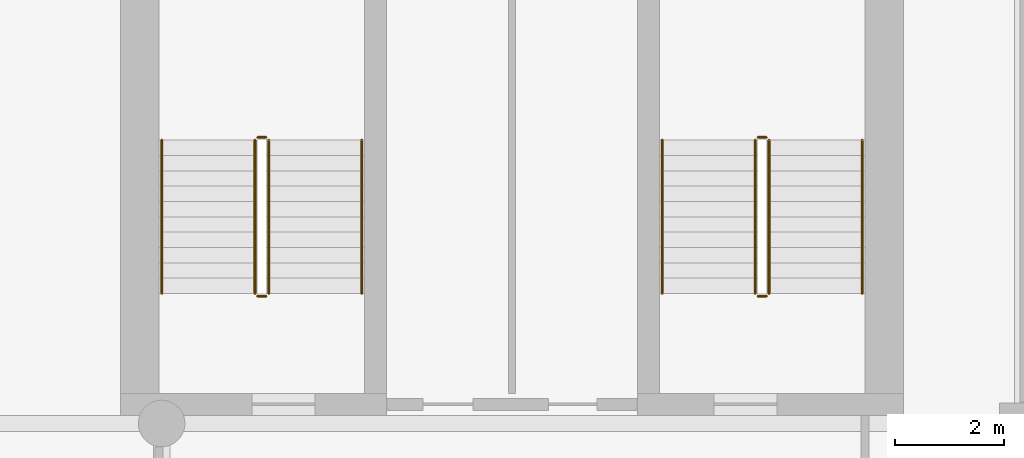
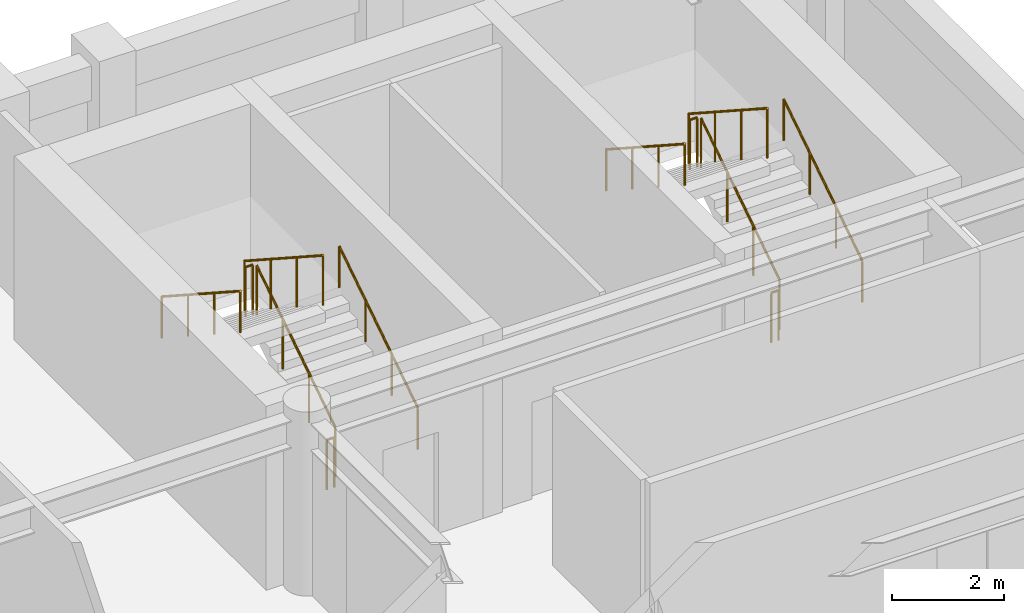
# One storey, part 8 of 8: 12 railings.
"""IFC4 building model written with IfcOpenShell, lengths in metres."""

from ifc_helpers import new_model, si_unit, direction, frame, origin, origin_2d, place, context, subcontext, project, spatial, circle, extrude, material, type_object, element, save


model = new_model("IFC4")

# Units and contexts
model_context = context("Model", 3, precision=1e-05, world=origin(), true_north=direction((0.0, 1.0)))
body_context = subcontext(model_context, "Body", "Model", "MODEL_VIEW")
ifc_project = project(units=[si_unit("LENGTHUNIT", "METRE"), si_unit("AREAUNIT", "SQUARE_METRE"), si_unit("VOLUMEUNIT", "CUBIC_METRE"), si_unit("PLANEANGLEUNIT", "RADIAN"), si_unit("MASSUNIT", "GRAM", prefix="KILO")], contexts=[model_context])

# Site, building, storey
site_placement = place(None, origin())
site = spatial("IfcSite", under=ifc_project, at=site_placement, CompositionType="ELEMENT")
building_placement = place(site_placement, origin())
building = spatial("IfcBuilding", under=site, at=building_placement, Name="Sulina Concourse Tower", CompositionType="ELEMENT")
storey_placement = place(building_placement, frame((0.0, 0.0, 226.60009765625)))
storey = spatial("IfcBuildingStorey", under=building, at=storey_placement, Name="L55", CompositionType="ELEMENT", Elevation=226.60009765625)

# Railings
ifc_material_1 = material(Name="Galvanised steel railing", Category="steel")
railing_type_1 = type_object("IfcRailingType", Name="Core Stair Steel Guardrail 1150mm", PredefinedType="GUARDRAIL", material=ifc_material_1)
railing_1_placement = place(storey_placement, frame((43.554931640625, 36.375, 0.181640625)))
element("IfcRailing", 1, at=railing_1_placement, inside=storey, type_object=railing_type_1, Name="L55 ST-3 stair guard 1", PredefinedType="GUARDRAIL", context=body_context, shape_type="SweptSolid", body=[
    extrude(circle(Radius=0.02392578125, at=origin_2d()), frame((0.0, 0.0, 1.076171875), z_axis=(0.0, 0.838672427954, 0.544636170843), x_axis=(-1.0, 0.0, 0.0)), (0.0, 0.0, 1.0), 3.338623046875),
    extrude(circle(Radius=0.02099609375, at=origin_2d()), origin(), (0.0, 0.0, 1.0), 1.052001953125),
    extrude(circle(Radius=0.02099609375, at=origin_2d()), frame((0.0, 0.933349609375, 0.606201171875)), (0.0, 0.0, 1.0), 1.052001953125),
    extrude(circle(Radius=0.02099609375, at=origin_2d()), frame((0.0, 1.86669921875, 1.212158203125)), (0.0, 0.0, 1.0), 1.052001953125),
    extrude(circle(Radius=0.02099609375, at=origin_2d()), frame((0.0, 2.800048828125, 1.818359375)), (0.0, 0.0, 1.0), 1.052001953125),
])
railing_2_placement = place(storey_placement, frame((43.5048828125, 39.22509765625, 2.0)))
element("IfcRailing", 2, at=railing_2_placement, inside=storey, type_object=railing_type_1, Name="L55 ST-3 stair guard 2", PredefinedType="GUARDRAIL", context=body_context, shape_type="SweptSolid", body=[
    extrude(circle(Radius=0.02392578125, at=origin_2d()), frame((0.0, 0.0, 1.076171875), z_axis=(-1.0, 0.0, 0.0), x_axis=(0.0, -1.0, 0.0)), (0.0, 0.0, 1.0), 0.14990234375),
    extrude(circle(Radius=0.02099609375, at=origin_2d()), origin(), (0.0, 0.0, 1.0), 1.052001953125),
    extrude(circle(Radius=0.02099609375, at=origin_2d()), frame((-0.14990234375, 0.0, 0.0)), (0.0, 0.0, 1.0), 1.052001953125),
])
railing_3_placement = place(storey_placement, frame((43.304931640625, 39.175048828125, 2.181640625)))
element("IfcRailing", 3, at=railing_3_placement, inside=storey, type_object=railing_type_1, Name="L55 ST-3 stair guard 3", PredefinedType="GUARDRAIL", context=body_context, shape_type="SweptSolid", body=[
    extrude(circle(Radius=0.02392578125, at=origin_2d()), frame((0.0, 0.0, 1.076171875), z_axis=(0.0, -0.838672427954, 0.544636170843), x_axis=(1.0, 0.0, 0.0)), (0.0, 0.0, 1.0), 3.338623046875),
    extrude(circle(Radius=0.02099609375, at=origin_2d()), origin(), (0.0, 0.0, 1.0), 1.052001953125),
    extrude(circle(Radius=0.02099609375, at=origin_2d()), frame((0.0, -0.933349609375, 0.606201171875)), (0.0, 0.0, 1.0), 1.052001953125),
    extrude(circle(Radius=0.02099609375, at=origin_2d()), frame((0.0, -1.86669921875, 1.212158203125)), (0.0, 0.0, 1.0), 1.052001953125),
    extrude(circle(Radius=0.02099609375, at=origin_2d()), frame((0.0, -2.800048828125, 1.818359375)), (0.0, 0.0, 1.0), 1.052001953125),
])
railing_4_placement = place(storey_placement, frame((43.5048828125, 36.324951171875, 0.0)))
element("IfcRailing", 4, at=railing_4_placement, inside=storey, type_object=railing_type_1, Name="L55 ST-3 stair guard 4", PredefinedType="GUARDRAIL", context=body_context, shape_type="SweptSolid", body=[
    extrude(circle(Radius=0.02392578125, at=origin_2d()), frame((0.0, 0.0, 1.076171875), z_axis=(-1.0, 0.0, 0.0), x_axis=(0.0, -1.0, 0.0)), (0.0, 0.0, 1.0), 0.14990234375),
    extrude(circle(Radius=0.02099609375, at=origin_2d()), origin(), (0.0, 0.0, 1.0), 1.052001953125),
    extrude(circle(Radius=0.02099609375, at=origin_2d()), frame((-0.14990234375, 0.0, 0.0)), (0.0, 0.0, 1.0), 1.052001953125),
])
railing_5_placement = place(storey_placement, frame((52.695068359375, 36.375, 0.181640625)))
element("IfcRailing", 5, at=railing_5_placement, inside=storey, type_object=railing_type_1, Name="L55 ST-4 stair guard 1", PredefinedType="GUARDRAIL", context=body_context, shape_type="SweptSolid", body=[
    extrude(circle(Radius=0.02392578125, at=origin_2d()), frame((0.0, 0.0, 1.076171875), z_axis=(0.0, 0.838672427954, 0.544636170843), x_axis=(-1.0, 0.0, 0.0)), (0.0, 0.0, 1.0), 3.338623046875),
    extrude(circle(Radius=0.02099609375, at=origin_2d()), origin(), (0.0, 0.0, 1.0), 1.052001953125),
    extrude(circle(Radius=0.02099609375, at=origin_2d()), frame((0.0, 0.933349609375, 0.606201171875)), (0.0, 0.0, 1.0), 1.052001953125),
    extrude(circle(Radius=0.02099609375, at=origin_2d()), frame((0.0, 1.86669921875, 1.212158203125)), (0.0, 0.0, 1.0), 1.052001953125),
    extrude(circle(Radius=0.02099609375, at=origin_2d()), frame((0.0, 2.800048828125, 1.818359375)), (0.0, 0.0, 1.0), 1.052001953125),
])
railing_6_placement = place(storey_placement, frame((52.64501953125, 39.22509765625, 2.0)))
element("IfcRailing", 6, at=railing_6_placement, inside=storey, type_object=railing_type_1, Name="L55 ST-4 stair guard 2", PredefinedType="GUARDRAIL", context=body_context, shape_type="SweptSolid", body=[
    extrude(circle(Radius=0.02392578125, at=origin_2d()), frame((0.0, 0.0, 1.076171875), z_axis=(-1.0, 0.0, 0.0), x_axis=(0.0, -1.0, 0.0)), (0.0, 0.0, 1.0), 0.14990234375),
    extrude(circle(Radius=0.02099609375, at=origin_2d()), origin(), (0.0, 0.0, 1.0), 1.052001953125),
    extrude(circle(Radius=0.02099609375, at=origin_2d()), frame((-0.14990234375, 0.0, 0.0)), (0.0, 0.0, 1.0), 1.052001953125),
])
railing_7_placement = place(storey_placement, frame((52.445068359375, 39.175048828125, 2.181640625)))
element("IfcRailing", 7, at=railing_7_placement, inside=storey, type_object=railing_type_1, Name="L55 ST-4 stair guard 3", PredefinedType="GUARDRAIL", context=body_context, shape_type="SweptSolid", body=[
    extrude(circle(Radius=0.02392578125, at=origin_2d()), frame((0.0, 0.0, 1.076171875), z_axis=(0.0, -0.838672427954, 0.544636170843), x_axis=(1.0, 0.0, 0.0)), (0.0, 0.0, 1.0), 3.338623046875),
    extrude(circle(Radius=0.02099609375, at=origin_2d()), origin(), (0.0, 0.0, 1.0), 1.052001953125),
    extrude(circle(Radius=0.02099609375, at=origin_2d()), frame((0.0, -0.933349609375, 0.606201171875)), (0.0, 0.0, 1.0), 1.052001953125),
    extrude(circle(Radius=0.02099609375, at=origin_2d()), frame((0.0, -1.86669921875, 1.212158203125)), (0.0, 0.0, 1.0), 1.052001953125),
    extrude(circle(Radius=0.02099609375, at=origin_2d()), frame((0.0, -2.800048828125, 1.818359375)), (0.0, 0.0, 1.0), 1.052001953125),
])
railing_8_placement = place(storey_placement, frame((52.64501953125, 36.324951171875, 0.0)))
element("IfcRailing", 8, at=railing_8_placement, inside=storey, type_object=railing_type_1, Name="L55 ST-4 stair guard 4", PredefinedType="GUARDRAIL", context=body_context, shape_type="SweptSolid", body=[
    extrude(circle(Radius=0.02392578125, at=origin_2d()), frame((0.0, 0.0, 1.076171875), z_axis=(-1.0, 0.0, 0.0), x_axis=(0.0, -1.0, 0.0)), (0.0, 0.0, 1.0), 0.14990234375),
    extrude(circle(Radius=0.02099609375, at=origin_2d()), origin(), (0.0, 0.0, 1.0), 1.052001953125),
    extrude(circle(Radius=0.02099609375, at=origin_2d()), frame((-0.14990234375, 0.0, 0.0)), (0.0, 0.0, 1.0), 1.052001953125),
])
ifc_material_2 = material(Name="Galvanised steel railing", Category="steel")
railing_type_2 = type_object("IfcRailingType", Name="Stair Wall Steel Handrail 920mm", PredefinedType="HANDRAIL", material=ifc_material_2)
railing_9_placement = place(storey_placement, frame((45.2548828125, 36.375, 0.181640625)))
element("IfcRailing", 9, at=railing_9_placement, inside=storey, type_object=railing_type_2, Name="L55 ST-3 stair handrail 1", PredefinedType="HANDRAIL", context=body_context, shape_type="SweptSolid", body=[
    extrude(circle(Radius=0.02392578125, at=origin_2d()), frame((0.0, 0.0, 0.89599609375), z_axis=(0.0, 0.838672427954, 0.544636170843), x_axis=(-1.0, 0.0, 0.0)), (0.0, 0.0, 1.0), 3.338623046875),
    extrude(circle(Radius=0.02099609375, at=origin_2d()), origin(), (0.0, 0.0, 1.0), 0.871826171875),
    extrude(circle(Radius=0.02099609375, at=origin_2d()), frame((0.0, 0.933349609375, 0.606201171875)), (0.0, 0.0, 1.0), 0.871826171875),
    extrude(circle(Radius=0.02099609375, at=origin_2d()), frame((0.0, 1.86669921875, 1.212158203125)), (0.0, 0.0, 1.0), 0.871826171875),
    extrude(circle(Radius=0.02099609375, at=origin_2d()), frame((0.0, 2.800048828125, 1.818359375)), (0.0, 0.0, 1.0), 0.871826171875),
])
railing_10_placement = place(storey_placement, frame((41.60498046875, 39.175048828125, 2.181640625)))
element("IfcRailing", 10, at=railing_10_placement, inside=storey, type_object=railing_type_2, Name="L55 ST-3 stair handrail 2", PredefinedType="HANDRAIL", context=body_context, shape_type="SweptSolid", body=[
    extrude(circle(Radius=0.02392578125, at=origin_2d()), frame((0.0, 0.0, 0.89599609375), z_axis=(0.0, -0.838672427954, 0.544636170843), x_axis=(1.0, 0.0, 0.0)), (0.0, 0.0, 1.0), 3.338623046875),
    extrude(circle(Radius=0.02099609375, at=origin_2d()), origin(), (0.0, 0.0, 1.0), 0.871826171875),
    extrude(circle(Radius=0.02099609375, at=origin_2d()), frame((0.0, -0.933349609375, 0.606201171875)), (0.0, 0.0, 1.0), 0.871826171875),
    extrude(circle(Radius=0.02099609375, at=origin_2d()), frame((0.0, -1.86669921875, 1.212158203125)), (0.0, 0.0, 1.0), 0.871826171875),
    extrude(circle(Radius=0.02099609375, at=origin_2d()), frame((0.0, -2.800048828125, 1.818359375)), (0.0, 0.0, 1.0), 0.871826171875),
])
railing_11_placement = place(storey_placement, frame((54.39501953125, 36.375, 0.181640625)))
element("IfcRailing", 11, at=railing_11_placement, inside=storey, type_object=railing_type_2, Name="L55 ST-4 stair handrail 1", PredefinedType="HANDRAIL", context=body_context, shape_type="SweptSolid", body=[
    extrude(circle(Radius=0.02392578125, at=origin_2d()), frame((0.0, 0.0, 0.89599609375), z_axis=(0.0, 0.838672427954, 0.544636170843), x_axis=(-1.0, 0.0, 0.0)), (0.0, 0.0, 1.0), 3.338623046875),
    extrude(circle(Radius=0.02099609375, at=origin_2d()), origin(), (0.0, 0.0, 1.0), 0.871826171875),
    extrude(circle(Radius=0.02099609375, at=origin_2d()), frame((0.0, 0.933349609375, 0.606201171875)), (0.0, 0.0, 1.0), 0.871826171875),
    extrude(circle(Radius=0.02099609375, at=origin_2d()), frame((0.0, 1.86669921875, 1.212158203125)), (0.0, 0.0, 1.0), 0.871826171875),
    extrude(circle(Radius=0.02099609375, at=origin_2d()), frame((0.0, 2.800048828125, 1.818359375)), (0.0, 0.0, 1.0), 0.871826171875),
])
railing_12_placement = place(storey_placement, frame((50.7451171875, 39.175048828125, 2.181640625)))
element("IfcRailing", 12, at=railing_12_placement, inside=storey, type_object=railing_type_2, Name="L55 ST-4 stair handrail 2", PredefinedType="HANDRAIL", context=body_context, shape_type="SweptSolid", body=[
    extrude(circle(Radius=0.02392578125, at=origin_2d()), frame((0.0, 0.0, 0.89599609375), z_axis=(0.0, -0.838672427954, 0.544636170843), x_axis=(1.0, 0.0, 0.0)), (0.0, 0.0, 1.0), 3.338623046875),
    extrude(circle(Radius=0.02099609375, at=origin_2d()), origin(), (0.0, 0.0, 1.0), 0.871826171875),
    extrude(circle(Radius=0.02099609375, at=origin_2d()), frame((0.0, -0.933349609375, 0.606201171875)), (0.0, 0.0, 1.0), 0.871826171875),
    extrude(circle(Radius=0.02099609375, at=origin_2d()), frame((0.0, -1.86669921875, 1.212158203125)), (0.0, 0.0, 1.0), 0.871826171875),
    extrude(circle(Radius=0.02099609375, at=origin_2d()), frame((0.0, -2.800048828125, 1.818359375)), (0.0, 0.0, 1.0), 0.871826171875),
])

save(model, "model.ifc")
